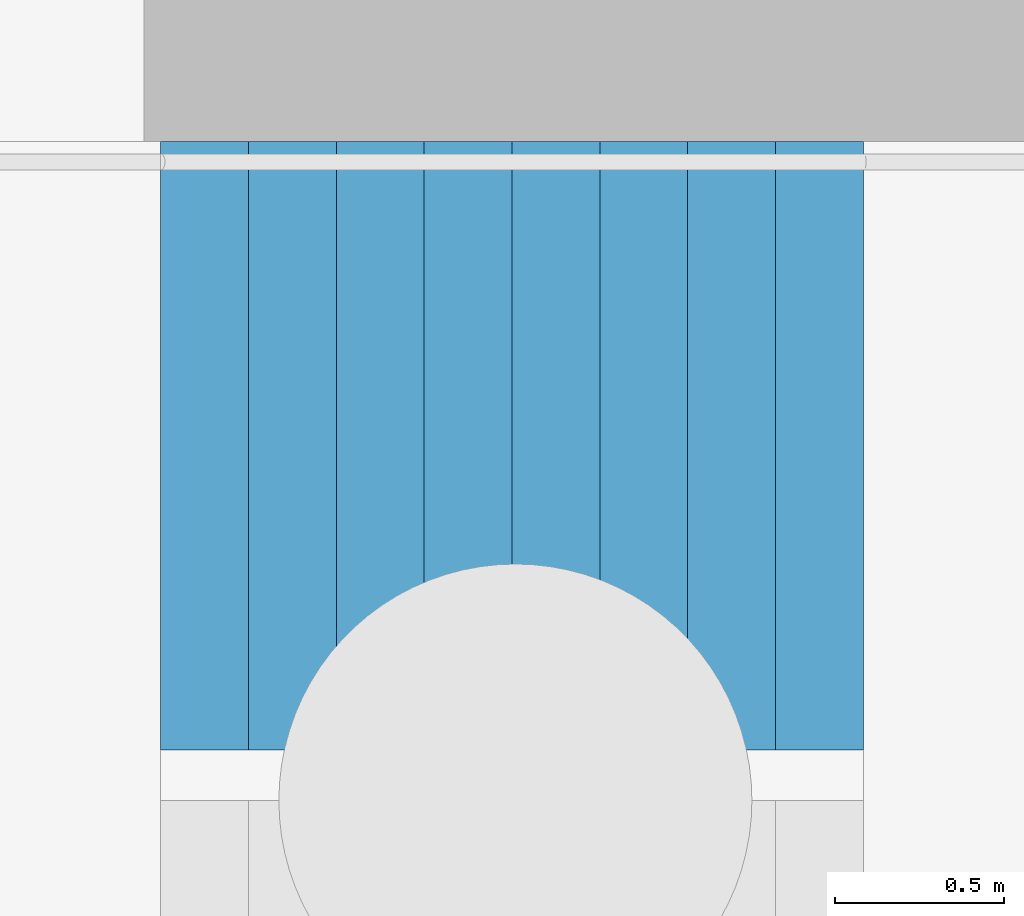
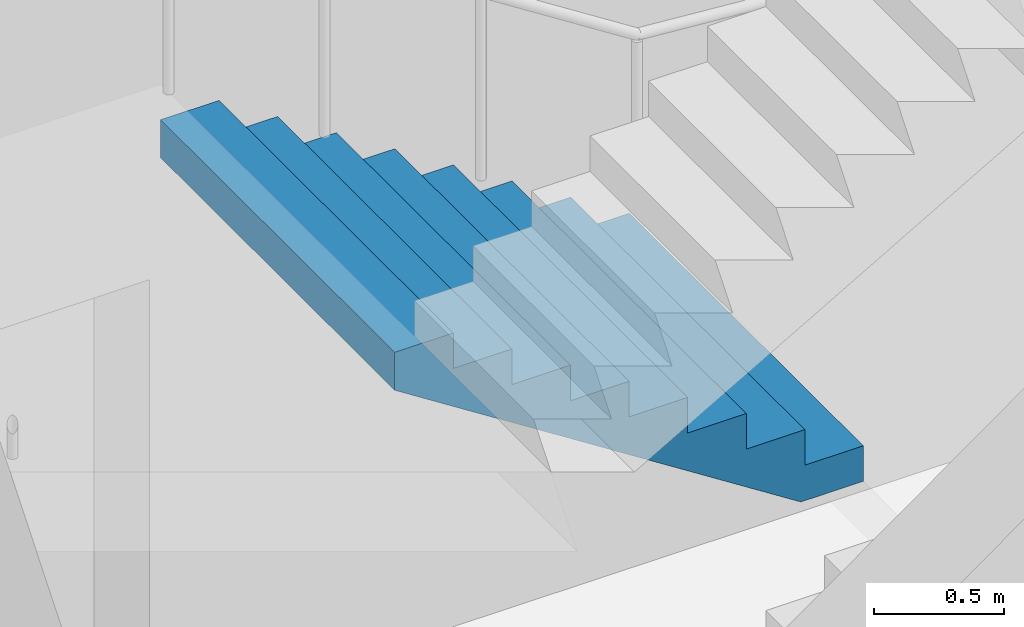
# One storey, part 61 of 113: 1 stair flight, 1 element without a shape of its own.
"""IFC4 building model written with IfcOpenShell, lengths in metres."""

from ifc_helpers import new_model, si_unit, direction, frame, origin, place, context, subcontext, project, spatial, triangles, material, type_object, element, aggregate, save


model = new_model("IFC4")

# Units and contexts
model_context = context("Model", 3, precision=1e-05, world=origin(), true_north=direction((0.0, 1.0)))
body_context = subcontext(model_context, "Body", "Model", "MODEL_VIEW")
ifc_project = project(units=[si_unit("LENGTHUNIT", "METRE"), si_unit("AREAUNIT", "SQUARE_METRE"), si_unit("VOLUMEUNIT", "CUBIC_METRE"), si_unit("PLANEANGLEUNIT", "RADIAN"), si_unit("MASSUNIT", "GRAM", prefix="KILO")], contexts=[model_context])

# Site, building, storey
site_placement = place(None, origin())
site = spatial("IfcSite", under=ifc_project, at=site_placement, CompositionType="ELEMENT")
building_placement = place(site_placement, origin())
building = spatial("IfcBuilding", under=site, at=building_placement, Name="Hakoniwa Tower and Hamabe Station Hall", CompositionType="ELEMENT")
storey_placement = place(building_placement, origin())
storey = spatial("IfcBuildingStorey", under=building, at=storey_placement, Name="L01", CompositionType="ELEMENT", Elevation=0.0)

# Stair, stair flight
ifc_material_1 = material(Name="Concrete C40", Category="concrete")
stair_type = type_object("IfcStairType", Name="ESCAPE STAIR 1800", PredefinedType="HALF_TURN_STAIR", material=ifc_material_1)
stair_placement = place(storey_placement, origin())
stair = element("IfcStair", 1, at=stair_placement, inside=storey, type_object=stair_type, Name="Escape stair ST-1 L01", PredefinedType="HALF_TURN_STAIR")
ifc_material_2 = material(Name="Concrete C40", Category="concrete")
stair_flight_type = type_object("IfcStairFlightType", Name="STAIR FLIGHT 1800", PredefinedType="STRAIGHT", material=ifc_material_2)
stair_flight_placement = place(storey_placement, frame((-22.320068359375, 6.60009765625, 1.5), z_axis=(0.0, 0.0, 1.0), x_axis=(-1.0, 0.0, 0.0)))
stair_flight = element("IfcStairFlight", 2, at=stair_flight_placement, type_object=stair_flight_type, Name="ST-1 flight 2", NumberOfRisers=9, NumberOfTreads=8, PredefinedType="STRAIGHT", RiserHeight=0.166666667, TreadLength=0.26, context=body_context, shape_type="Tessellation", body=[
    triangles([(0.0, 0.89990234375, 0.0), (0.260009765625, 0.89990234375, 0.0), (0.27783203125, 0.89990234375, 0.0), (0.52001953125, 0.89990234375, 0.1552734375), (0.780029296875, 0.89990234375, 0.322021484375), (1.0400390625, 0.89990234375, 0.488525390625), (1.300048828125, 0.89990234375, 0.6552734375), (1.56005859375, 0.89990234375, 0.822021484375), (1.820068359375, 0.89990234375, 0.988525390625), (2.080078125, 0.89990234375, 1.1552734375), (2.080078125, 0.89990234375, 1.333251953125), (1.820068359375, 0.89990234375, 1.333251953125), (1.820068359375, 0.89990234375, 1.166748046875), (1.56005859375, 0.89990234375, 1.166748046875), (1.56005859375, 0.89990234375, 1.0), (1.300048828125, 0.89990234375, 1.0), (1.300048828125, 0.89990234375, 0.833251953125), (1.0400390625, 0.89990234375, 0.833251953125), (1.0400390625, 0.89990234375, 0.666748046875), (0.780029296875, 0.89990234375, 0.666748046875), (0.780029296875, 0.89990234375, 0.5), (0.52001953125, 0.89990234375, 0.5), (0.52001953125, 0.89990234375, 0.333251953125), (0.27783203125, 0.89990234375, 0.333251953125), (0.260009765625, 0.89990234375, 0.333251953125), (0.260009765625, 0.89990234375, 0.166748046875), (0.0, 0.89990234375, 0.166748046875), (0.0, 0.06005859375, 0.0), (0.260009765625, 0.06005859375, 0.0), (0.27783203125, 0.06005859375, 0.0), (0.52001953125, 0.06005859375, 0.1552734375), (0.780029296875, 0.06005859375, 0.322021484375), (1.0400390625, 0.06005859375, 0.488525390625), (1.300048828125, 0.06005859375, 0.6552734375), (1.56005859375, 0.06005859375, 0.822021484375), (1.820068359375, 0.06005859375, 0.988525390625), (2.080078125, 0.06005859375, 1.1552734375), (2.080078125, 0.06005859375, 1.333251953125), (1.820068359375, 0.06005859375, 1.333251953125), (1.820068359375, 0.06005859375, 1.166748046875), (1.56005859375, 0.06005859375, 1.166748046875), (1.56005859375, 0.06005859375, 1.0), (1.300048828125, 0.06005859375, 1.0), (1.300048828125, 0.06005859375, 0.833251953125), (1.0400390625, 0.06005859375, 0.833251953125), (1.0400390625, 0.06005859375, 0.666748046875), (0.780029296875, 0.06005859375, 0.666748046875), (0.780029296875, 0.06005859375, 0.5), (0.52001953125, 0.06005859375, 0.5), (0.52001953125, 0.06005859375, 0.333251953125), (0.27783203125, 0.06005859375, 0.333251953125), (0.260009765625, 0.06005859375, 0.333251953125), (0.260009765625, 0.06005859375, 0.166748046875), (0.0, 0.06005859375, 0.166748046875), (0.0, 0.04296875, 0.0), (0.260009765625, 0.04296875, 0.0), (0.27783203125, 0.04296875, 0.0), (0.52001953125, 0.04296875, 0.1552734375), (0.780029296875, 0.04296875, 0.322021484375), (1.0400390625, 0.04296875, 0.488525390625), (1.300048828125, 0.04296875, 0.6552734375), (1.56005859375, 0.04296875, 0.822021484375), (1.820068359375, 0.04296875, 0.988525390625), (2.080078125, 0.04296875, 1.1552734375), (2.080078125, 0.04296875, 1.333251953125), (1.820068359375, 0.04296875, 1.333251953125), (1.820068359375, 0.04296875, 1.166748046875), (1.56005859375, 0.04296875, 1.166748046875), (1.56005859375, 0.04296875, 1.0), (1.300048828125, 0.04296875, 1.0), (1.300048828125, 0.04296875, 0.833251953125), (1.0400390625, 0.04296875, 0.833251953125), (1.0400390625, 0.04296875, 0.666748046875), (0.780029296875, 0.04296875, 0.666748046875), (0.780029296875, 0.04296875, 0.5), (0.52001953125, 0.04296875, 0.5), (0.52001953125, 0.04296875, 0.333251953125), (0.27783203125, 0.04296875, 0.333251953125), (0.260009765625, 0.04296875, 0.333251953125), (0.260009765625, 0.04296875, 0.166748046875), (0.0, 0.04296875, 0.166748046875), (0.0, 0.025634765625, 0.0), (0.260009765625, 0.025634765625, 0.0), (0.27783203125, 0.025634765625, 0.0), (0.52001953125, 0.025634765625, 0.1552734375), (0.780029296875, 0.025634765625, 0.322021484375), (1.0400390625, 0.025634765625, 0.488525390625), (1.300048828125, 0.025634765625, 0.6552734375), (1.56005859375, 0.025634765625, 0.822021484375), (1.820068359375, 0.025634765625, 0.988525390625), (2.080078125, 0.025634765625, 1.1552734375), (2.080078125, 0.025634765625, 1.333251953125), (1.820068359375, 0.025634765625, 1.333251953125), (1.820068359375, 0.025634765625, 1.166748046875), (1.56005859375, 0.025634765625, 1.166748046875), (1.56005859375, 0.025634765625, 1.0), (1.300048828125, 0.025634765625, 1.0), (1.300048828125, 0.025634765625, 0.833251953125), (1.0400390625, 0.025634765625, 0.833251953125), (1.0400390625, 0.025634765625, 0.666748046875), (0.780029296875, 0.025634765625, 0.666748046875), (0.780029296875, 0.025634765625, 0.5), (0.52001953125, 0.025634765625, 0.5), (0.52001953125, 0.025634765625, 0.333251953125), (0.27783203125, 0.025634765625, 0.333251953125), (0.260009765625, 0.025634765625, 0.333251953125), (0.260009765625, 0.025634765625, 0.166748046875), (0.0, 0.025634765625, 0.166748046875), (0.0, 0.008544921875, 0.0), (0.260009765625, 0.008544921875, 0.0), (0.27783203125, 0.008544921875, 0.0), (0.52001953125, 0.008544921875, 0.1552734375), (0.780029296875, 0.008544921875, 0.322021484375), (1.0400390625, 0.008544921875, 0.488525390625), (1.300048828125, 0.008544921875, 0.6552734375), (1.56005859375, 0.008544921875, 0.822021484375), (1.820068359375, 0.008544921875, 0.988525390625), (2.080078125, 0.008544921875, 1.1552734375), (2.080078125, 0.008544921875, 1.333251953125), (1.820068359375, 0.008544921875, 1.333251953125), (1.820068359375, 0.008544921875, 1.166748046875), (1.56005859375, 0.008544921875, 1.166748046875), (1.56005859375, 0.008544921875, 1.0), (1.300048828125, 0.008544921875, 1.0), (1.300048828125, 0.008544921875, 0.833251953125), (1.0400390625, 0.008544921875, 0.833251953125), (1.0400390625, 0.008544921875, 0.666748046875), (0.780029296875, 0.008544921875, 0.666748046875), (0.780029296875, 0.008544921875, 0.5), (0.52001953125, 0.008544921875, 0.5), (0.52001953125, 0.008544921875, 0.333251953125), (0.27783203125, 0.008544921875, 0.333251953125), (0.260009765625, 0.008544921875, 0.333251953125), (0.260009765625, 0.008544921875, 0.166748046875), (0.0, 0.008544921875, 0.166748046875), (0.0, -0.008544921875, 0.0), (0.260009765625, -0.008544921875, 0.0), (0.27783203125, -0.008544921875, 0.0), (0.52001953125, -0.008544921875, 0.1552734375), (0.780029296875, -0.008544921875, 0.322021484375), (1.0400390625, -0.008544921875, 0.488525390625), (1.300048828125, -0.008544921875, 0.6552734375), (1.56005859375, -0.008544921875, 0.822021484375), (1.820068359375, -0.008544921875, 0.988525390625), (2.080078125, -0.008544921875, 1.1552734375), (2.080078125, -0.008544921875, 1.333251953125), (1.820068359375, -0.008544921875, 1.333251953125), (1.820068359375, -0.008544921875, 1.166748046875), (1.56005859375, -0.008544921875, 1.166748046875), (1.56005859375, -0.008544921875, 1.0), (1.300048828125, -0.008544921875, 1.0), (1.300048828125, -0.008544921875, 0.833251953125), (1.0400390625, -0.008544921875, 0.833251953125), (1.0400390625, -0.008544921875, 0.666748046875), (0.780029296875, -0.008544921875, 0.666748046875), (0.780029296875, -0.008544921875, 0.5), (0.52001953125, -0.008544921875, 0.5), (0.52001953125, -0.008544921875, 0.333251953125), (0.27783203125, -0.008544921875, 0.333251953125), (0.260009765625, -0.008544921875, 0.333251953125), (0.260009765625, -0.008544921875, 0.166748046875), (0.0, -0.008544921875, 0.166748046875), (0.0, -0.025634765625, 0.0), (0.260009765625, -0.025634765625, 0.0), (0.27783203125, -0.025634765625, 0.0), (0.52001953125, -0.025634765625, 0.1552734375), (0.780029296875, -0.025634765625, 0.322021484375), (1.0400390625, -0.025634765625, 0.488525390625), (1.300048828125, -0.025634765625, 0.6552734375), (1.56005859375, -0.025634765625, 0.822021484375), (1.820068359375, -0.025634765625, 0.988525390625), (2.080078125, -0.025634765625, 1.1552734375), (2.080078125, -0.025634765625, 1.333251953125), (1.820068359375, -0.025634765625, 1.333251953125), (1.820068359375, -0.025634765625, 1.166748046875), (1.56005859375, -0.025634765625, 1.166748046875), (1.56005859375, -0.025634765625, 1.0), (1.300048828125, -0.025634765625, 1.0), (1.300048828125, -0.025634765625, 0.833251953125), (1.0400390625, -0.025634765625, 0.833251953125), (1.0400390625, -0.025634765625, 0.666748046875), (0.780029296875, -0.025634765625, 0.666748046875), (0.780029296875, -0.025634765625, 0.5), (0.52001953125, -0.025634765625, 0.5), (0.52001953125, -0.025634765625, 0.333251953125), (0.27783203125, -0.025634765625, 0.333251953125), (0.260009765625, -0.025634765625, 0.333251953125), (0.260009765625, -0.025634765625, 0.166748046875), (0.0, -0.025634765625, 0.166748046875), (0.0, -0.04296875, 0.0), (0.260009765625, -0.04296875, 0.0), (0.27783203125, -0.04296875, 0.0), (0.52001953125, -0.04296875, 0.1552734375), (0.780029296875, -0.04296875, 0.322021484375), (1.0400390625, -0.04296875, 0.488525390625), (1.300048828125, -0.04296875, 0.6552734375), (1.56005859375, -0.04296875, 0.822021484375), (1.820068359375, -0.04296875, 0.988525390625), (2.080078125, -0.04296875, 1.1552734375), (2.080078125, -0.04296875, 1.333251953125), (1.820068359375, -0.04296875, 1.333251953125), (1.820068359375, -0.04296875, 1.166748046875), (1.56005859375, -0.04296875, 1.166748046875), (1.56005859375, -0.04296875, 1.0), (1.300048828125, -0.04296875, 1.0), (1.300048828125, -0.04296875, 0.833251953125), (1.0400390625, -0.04296875, 0.833251953125), (1.0400390625, -0.04296875, 0.666748046875), (0.780029296875, -0.04296875, 0.666748046875), (0.780029296875, -0.04296875, 0.5), (0.52001953125, -0.04296875, 0.5), (0.52001953125, -0.04296875, 0.333251953125), (0.27783203125, -0.04296875, 0.333251953125), (0.260009765625, -0.04296875, 0.333251953125), (0.260009765625, -0.04296875, 0.166748046875), (0.0, -0.04296875, 0.166748046875), (0.0, -0.06005859375, 0.0), (0.260009765625, -0.06005859375, 0.0), (0.27783203125, -0.06005859375, 0.0), (0.52001953125, -0.06005859375, 0.1552734375), (0.780029296875, -0.06005859375, 0.322021484375), (1.0400390625, -0.06005859375, 0.488525390625), (1.300048828125, -0.06005859375, 0.6552734375), (1.56005859375, -0.06005859375, 0.822021484375), (1.820068359375, -0.06005859375, 0.988525390625), (2.080078125, -0.06005859375, 1.1552734375), (2.080078125, -0.06005859375, 1.333251953125), (1.820068359375, -0.06005859375, 1.333251953125), (1.820068359375, -0.06005859375, 1.166748046875), (1.56005859375, -0.06005859375, 1.166748046875), (1.56005859375, -0.06005859375, 1.0), (1.300048828125, -0.06005859375, 1.0), (1.300048828125, -0.06005859375, 0.833251953125), (1.0400390625, -0.06005859375, 0.833251953125), (1.0400390625, -0.06005859375, 0.666748046875), (0.780029296875, -0.06005859375, 0.666748046875), (0.780029296875, -0.06005859375, 0.5), (0.52001953125, -0.06005859375, 0.5), (0.52001953125, -0.06005859375, 0.333251953125), (0.27783203125, -0.06005859375, 0.333251953125), (0.260009765625, -0.06005859375, 0.333251953125), (0.260009765625, -0.06005859375, 0.166748046875), (0.0, -0.06005859375, 0.166748046875), (0.0, -0.89990234375, 0.0), (0.260009765625, -0.89990234375, 0.0), (0.27783203125, -0.89990234375, 0.0), (0.52001953125, -0.89990234375, 0.1552734375), (0.780029296875, -0.89990234375, 0.322021484375), (1.0400390625, -0.89990234375, 0.488525390625), (1.300048828125, -0.89990234375, 0.6552734375), (1.56005859375, -0.89990234375, 0.822021484375), (1.820068359375, -0.89990234375, 0.988525390625), (2.080078125, -0.89990234375, 1.1552734375), (2.080078125, -0.89990234375, 1.333251953125), (1.820068359375, -0.89990234375, 1.333251953125), (1.820068359375, -0.89990234375, 1.166748046875), (1.56005859375, -0.89990234375, 1.166748046875), (1.56005859375, -0.89990234375, 1.0), (1.300048828125, -0.89990234375, 1.0), (1.300048828125, -0.89990234375, 0.833251953125), (1.0400390625, -0.89990234375, 0.833251953125), (1.0400390625, -0.89990234375, 0.666748046875), (0.780029296875, -0.89990234375, 0.666748046875), (0.780029296875, -0.89990234375, 0.5), (0.52001953125, -0.89990234375, 0.5), (0.52001953125, -0.89990234375, 0.333251953125), (0.27783203125, -0.89990234375, 0.333251953125), (0.260009765625, -0.89990234375, 0.333251953125), (0.260009765625, -0.89990234375, 0.166748046875), (0.0, -0.89990234375, 0.166748046875)], [[2, 27, 26], [245, 269, 270], [2, 1, 27], [245, 270, 244], [3, 25, 24], [246, 267, 268], [3, 26, 25], [246, 268, 269], [3, 2, 26], [246, 269, 245], [4, 24, 23], [247, 266, 267], [4, 3, 24], [247, 267, 246], [5, 22, 21], [248, 264, 265], [5, 23, 22], [248, 265, 266], [5, 4, 23], [248, 266, 247], [6, 20, 19], [249, 262, 263], [6, 21, 20], [249, 263, 264], [6, 5, 21], [249, 264, 248], [7, 18, 17], [250, 260, 261], [7, 19, 18], [250, 261, 262], [7, 6, 19], [250, 262, 249], [8, 16, 15], [251, 258, 259], [8, 17, 16], [251, 259, 260], [8, 7, 17], [251, 260, 250], [9, 14, 13], [252, 256, 257], [9, 15, 14], [252, 257, 258], [9, 8, 15], [252, 258, 251], [10, 12, 11], [253, 254, 255], [10, 13, 12], [253, 255, 256], [10, 9, 13], [253, 256, 252], [1, 2, 29], [1, 29, 28], [28, 29, 56], [28, 56, 55], [55, 56, 83], [55, 83, 82], [82, 83, 110], [82, 110, 109], [109, 110, 137], [109, 137, 136], [136, 137, 164], [136, 164, 163], [163, 164, 191], [163, 191, 190], [190, 191, 218], [190, 218, 217], [217, 218, 245], [217, 245, 244], [2, 3, 30], [2, 30, 29], [29, 30, 57], [29, 57, 56], [56, 57, 84], [56, 84, 83], [83, 84, 111], [83, 111, 110], [110, 111, 138], [110, 138, 137], [137, 138, 165], [137, 165, 164], [164, 165, 192], [164, 192, 191], [191, 192, 219], [191, 219, 218], [218, 219, 246], [218, 246, 245], [3, 4, 31], [3, 31, 30], [30, 31, 58], [30, 58, 57], [57, 58, 85], [57, 85, 84], [84, 85, 112], [84, 112, 111], [111, 112, 139], [111, 139, 138], [138, 139, 166], [138, 166, 165], [165, 166, 193], [165, 193, 192], [192, 193, 220], [192, 220, 219], [219, 220, 247], [219, 247, 246], [4, 5, 32], [4, 32, 31], [31, 32, 59], [31, 59, 58], [58, 59, 86], [58, 86, 85], [85, 86, 113], [85, 113, 112], [112, 113, 140], [112, 140, 139], [139, 140, 167], [139, 167, 166], [166, 167, 194], [166, 194, 193], [193, 194, 221], [193, 221, 220], [220, 221, 248], [220, 248, 247], [5, 6, 33], [5, 33, 32], [32, 33, 60], [32, 60, 59], [59, 60, 87], [59, 87, 86], [86, 87, 114], [86, 114, 113], [113, 114, 141], [113, 141, 140], [140, 141, 168], [140, 168, 167], [167, 168, 195], [167, 195, 194], [194, 195, 222], [194, 222, 221], [221, 222, 249], [221, 249, 248], [6, 7, 34], [6, 34, 33], [33, 34, 61], [33, 61, 60], [60, 61, 88], [60, 88, 87], [87, 88, 115], [87, 115, 114], [114, 115, 142], [114, 142, 141], [141, 142, 169], [141, 169, 168], [168, 169, 196], [168, 196, 195], [195, 196, 223], [195, 223, 222], [222, 223, 250], [222, 250, 249], [7, 8, 35], [7, 35, 34], [34, 35, 62], [34, 62, 61], [61, 62, 89], [61, 89, 88], [88, 89, 116], [88, 116, 115], [115, 116, 143], [115, 143, 142], [142, 143, 170], [142, 170, 169], [169, 170, 197], [169, 197, 196], [196, 197, 224], [196, 224, 223], [223, 224, 251], [223, 251, 250], [8, 9, 36], [8, 36, 35], [35, 36, 63], [35, 63, 62], [62, 63, 90], [62, 90, 89], [89, 90, 117], [89, 117, 116], [116, 117, 144], [116, 144, 143], [143, 144, 171], [143, 171, 170], [170, 171, 198], [170, 198, 197], [197, 198, 225], [197, 225, 224], [224, 225, 252], [224, 252, 251], [9, 10, 37], [9, 37, 36], [36, 37, 64], [36, 64, 63], [63, 64, 91], [63, 91, 90], [90, 91, 118], [90, 118, 117], [117, 118, 145], [117, 145, 144], [144, 145, 172], [144, 172, 171], [171, 172, 199], [171, 199, 198], [198, 199, 226], [198, 226, 225], [225, 226, 253], [225, 253, 252], [10, 11, 38], [10, 38, 37], [37, 38, 65], [37, 65, 64], [64, 65, 92], [64, 92, 91], [91, 92, 119], [91, 119, 118], [118, 119, 146], [118, 146, 145], [145, 146, 173], [145, 173, 172], [172, 173, 200], [172, 200, 199], [199, 200, 227], [199, 227, 226], [226, 227, 254], [226, 254, 253], [11, 12, 39], [11, 39, 38], [38, 39, 66], [38, 66, 65], [65, 66, 93], [65, 93, 92], [92, 93, 120], [92, 120, 119], [119, 120, 147], [119, 147, 146], [146, 147, 174], [146, 174, 173], [173, 174, 201], [173, 201, 200], [200, 201, 228], [200, 228, 227], [227, 228, 255], [227, 255, 254], [12, 13, 40], [12, 40, 39], [39, 40, 67], [39, 67, 66], [66, 67, 94], [66, 94, 93], [93, 94, 121], [93, 121, 120], [120, 121, 148], [120, 148, 147], [147, 148, 175], [147, 175, 174], [174, 175, 202], [174, 202, 201], [201, 202, 229], [201, 229, 228], [228, 229, 256], [228, 256, 255], [13, 14, 41], [13, 41, 40], [40, 41, 68], [40, 68, 67], [67, 68, 95], [67, 95, 94], [94, 95, 122], [94, 122, 121], [121, 122, 149], [121, 149, 148], [148, 149, 176], [148, 176, 175], [175, 176, 203], [175, 203, 202], [202, 203, 230], [202, 230, 229], [229, 230, 257], [229, 257, 256], [14, 15, 42], [14, 42, 41], [41, 42, 69], [41, 69, 68], [68, 69, 96], [68, 96, 95], [95, 96, 123], [95, 123, 122], [122, 123, 150], [122, 150, 149], [149, 150, 177], [149, 177, 176], [176, 177, 204], [176, 204, 203], [203, 204, 231], [203, 231, 230], [230, 231, 258], [230, 258, 257], [15, 16, 43], [15, 43, 42], [42, 43, 70], [42, 70, 69], [69, 70, 97], [69, 97, 96], [96, 97, 124], [96, 124, 123], [123, 124, 151], [123, 151, 150], [150, 151, 178], [150, 178, 177], [177, 178, 205], [177, 205, 204], [204, 205, 232], [204, 232, 231], [231, 232, 259], [231, 259, 258], [16, 17, 44], [16, 44, 43], [43, 44, 71], [43, 71, 70], [70, 71, 98], [70, 98, 97], [97, 98, 125], [97, 125, 124], [124, 125, 152], [124, 152, 151], [151, 152, 179], [151, 179, 178], [178, 179, 206], [178, 206, 205], [205, 206, 233], [205, 233, 232], [232, 233, 260], [232, 260, 259], [17, 18, 45], [17, 45, 44], [44, 45, 72], [44, 72, 71], [71, 72, 99], [71, 99, 98], [98, 99, 126], [98, 126, 125], [125, 126, 153], [125, 153, 152], [152, 153, 180], [152, 180, 179], [179, 180, 207], [179, 207, 206], [206, 207, 234], [206, 234, 233], [233, 234, 261], [233, 261, 260], [18, 19, 46], [18, 46, 45], [45, 46, 73], [45, 73, 72], [72, 73, 100], [72, 100, 99], [99, 100, 127], [99, 127, 126], [126, 127, 154], [126, 154, 153], [153, 154, 181], [153, 181, 180], [180, 181, 208], [180, 208, 207], [207, 208, 235], [207, 235, 234], [234, 235, 262], [234, 262, 261], [19, 20, 47], [19, 47, 46], [46, 47, 74], [46, 74, 73], [73, 74, 101], [73, 101, 100], [100, 101, 128], [100, 128, 127], [127, 128, 155], [127, 155, 154], [154, 155, 182], [154, 182, 181], [181, 182, 209], [181, 209, 208], [208, 209, 236], [208, 236, 235], [235, 236, 263], [235, 263, 262], [20, 21, 48], [20, 48, 47], [47, 48, 75], [47, 75, 74], [74, 75, 102], [74, 102, 101], [101, 102, 129], [101, 129, 128], [128, 129, 156], [128, 156, 155], [155, 156, 183], [155, 183, 182], [182, 183, 210], [182, 210, 209], [209, 210, 237], [209, 237, 236], [236, 237, 264], [236, 264, 263], [21, 22, 49], [21, 49, 48], [48, 49, 76], [48, 76, 75], [75, 76, 103], [75, 103, 102], [102, 103, 130], [102, 130, 129], [129, 130, 157], [129, 157, 156], [156, 157, 184], [156, 184, 183], [183, 184, 211], [183, 211, 210], [210, 211, 238], [210, 238, 237], [237, 238, 265], [237, 265, 264], [22, 23, 50], [22, 50, 49], [49, 50, 77], [49, 77, 76], [76, 77, 104], [76, 104, 103], [103, 104, 131], [103, 131, 130], [130, 131, 158], [130, 158, 157], [157, 158, 185], [157, 185, 184], [184, 185, 212], [184, 212, 211], [211, 212, 239], [211, 239, 238], [238, 239, 266], [238, 266, 265], [23, 24, 51], [23, 51, 50], [50, 51, 78], [50, 78, 77], [77, 78, 105], [77, 105, 104], [104, 105, 132], [104, 132, 131], [131, 132, 159], [131, 159, 158], [158, 159, 186], [158, 186, 185], [185, 186, 213], [185, 213, 212], [212, 213, 240], [212, 240, 239], [239, 240, 267], [239, 267, 266], [24, 25, 52], [24, 52, 51], [51, 52, 79], [51, 79, 78], [78, 79, 106], [78, 106, 105], [105, 106, 133], [105, 133, 132], [132, 133, 160], [132, 160, 159], [159, 160, 187], [159, 187, 186], [186, 187, 214], [186, 214, 213], [213, 214, 241], [213, 241, 240], [240, 241, 268], [240, 268, 267], [25, 26, 53], [25, 53, 52], [52, 53, 80], [52, 80, 79], [79, 80, 107], [79, 107, 106], [106, 107, 134], [106, 134, 133], [133, 134, 161], [133, 161, 160], [160, 161, 188], [160, 188, 187], [187, 188, 215], [187, 215, 214], [214, 215, 242], [214, 242, 241], [241, 242, 269], [241, 269, 268], [26, 27, 54], [26, 54, 53], [53, 54, 81], [53, 81, 80], [80, 81, 108], [80, 108, 107], [107, 108, 135], [107, 135, 134], [134, 135, 162], [134, 162, 161], [161, 162, 189], [161, 189, 188], [188, 189, 216], [188, 216, 215], [215, 216, 243], [215, 243, 242], [242, 243, 270], [242, 270, 269], [27, 1, 28], [27, 28, 54], [54, 28, 55], [54, 55, 81], [81, 55, 82], [81, 82, 108], [108, 82, 109], [108, 109, 135], [135, 109, 136], [135, 136, 162], [162, 136, 163], [162, 163, 189], [189, 163, 190], [189, 190, 216], [216, 190, 217], [216, 217, 243], [243, 217, 244], [243, 244, 270]], closed=True),
])
aggregate(stair, [stair_flight])

save(model, "model.ifc")
